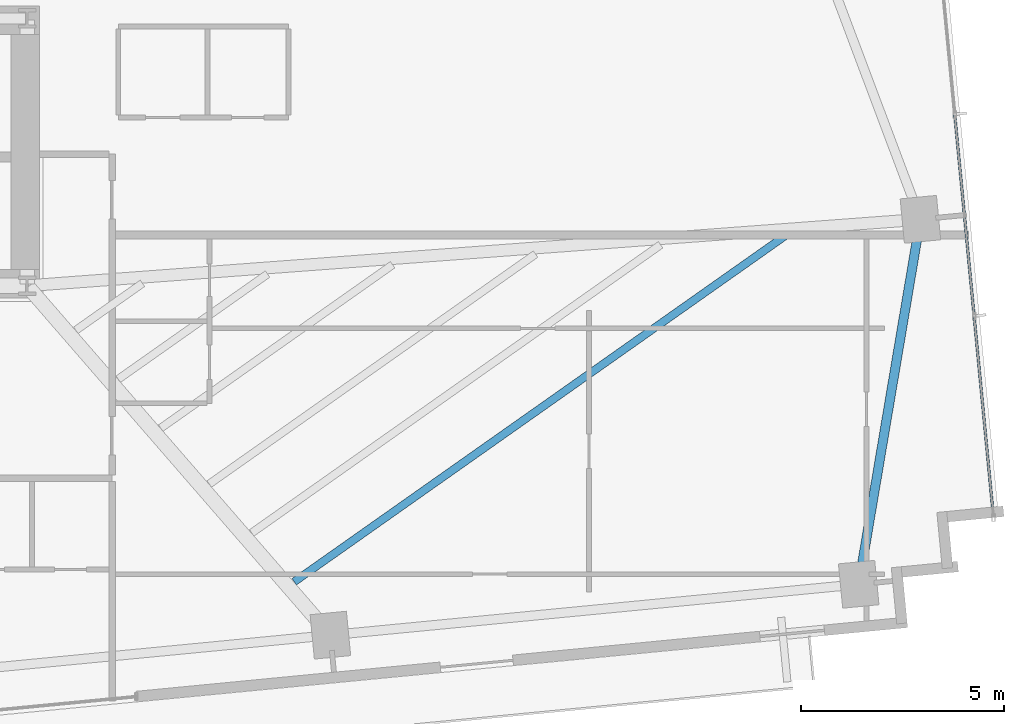
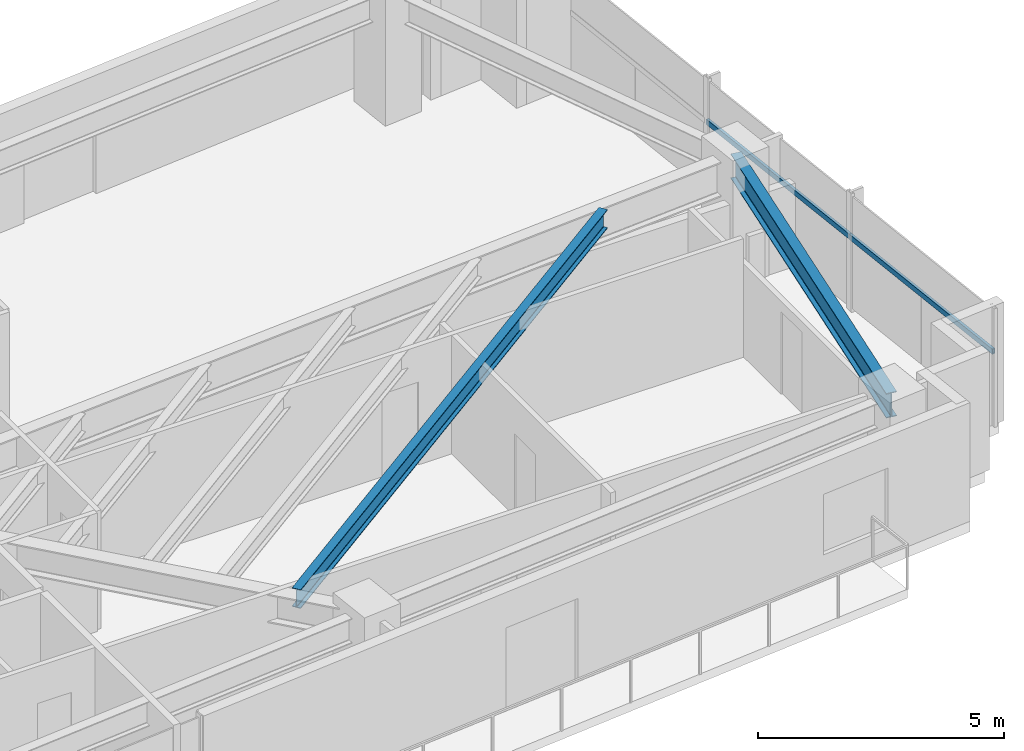
# One storey, part 15 of 27: 2 beams, 2 members, 1 element without a shape of its own.
"""IFC4 building model written with IfcOpenShell, lengths in metres."""

from ifc_helpers import new_model, si_unit, direction, frame, origin, origin_2d, place, context, subcontext, project, spatial, hollow_rectangle, i_section, extrude, source, transform, mapped, material, material_profile, profile_set, type_object, type_shapes, element, aggregate, save


model = new_model("IFC4")

# Units and contexts
model_context = context("Model", 3, precision=1e-05, world=origin(), true_north=direction((0.0, 1.0)))
body_context = subcontext(model_context, "Body", "Model", "MODEL_VIEW")
ifc_project = project(units=[si_unit("LENGTHUNIT", "METRE"), si_unit("AREAUNIT", "SQUARE_METRE"), si_unit("VOLUMEUNIT", "CUBIC_METRE"), si_unit("PLANEANGLEUNIT", "RADIAN"), si_unit("MASSUNIT", "GRAM", prefix="KILO")], contexts=[model_context])

# Site, building, storey
site_placement = place(None, origin())
site = spatial("IfcSite", under=ifc_project, at=site_placement, CompositionType="ELEMENT")
building_placement = place(site_placement, origin())
building = spatial("IfcBuilding", under=site, at=building_placement, Name="Astriad Promenade Condominiums", CompositionType="ELEMENT")
storey_placement = place(building_placement, frame((0.0, 0.0, 109.800048828125)))
storey = spatial("IfcBuildingStorey", under=building, at=storey_placement, Name="L31", CompositionType="ELEMENT", Elevation=109.800048828125)

# Beams
ifc_material_1 = material(Name="Steel ASTM A992 Grade 50", Category="steel")
ifc_material_profile_1 = material_profile(ifc_material_1, i_section(OverallWidth=0.22900390625, OverallDepth=0.612060546875, WebThickness=0.011962890625, FlangeThickness=0.01953125, FilletRadius=0.017822265625, at=origin_2d()), Name="W24X84")
ifc_profile_set_1 = profile_set([ifc_material_profile_1], Name="Steel ASTM A992 Grade 50")
beam_type_1 = type_object("IfcBeamType", Name="STEEL SPANDREL BEAM W24X84", PredefinedType="SPANDREL", material=ifc_profile_set_1)
shared_shape_1 = source(origin(), body_context, "Body", "SweptSolid", [
    extrude(i_section(OverallWidth=0.22900390625, OverallDepth=0.612060546875, WebThickness=0.011962890625, FlangeThickness=0.01953125, FilletRadius=0.017822265625, at=origin_2d()), origin(), (0.0, 0.0, 1.0), 9.055419921875),
])
type_shapes(beam_type_1, [shared_shape_1])
beam_1_placement = place(storey_placement, frame((66.13134765625, 10.0712890625, 2.6337890625), z_axis=(0.166776851291, 0.98599466625, 0.0), x_axis=(-0.98599466625, 0.166776851291, 0.0)))
element("IfcBeam", 1, at=beam_1_placement, inside=storey, type_object=beam_type_1, Name="Perimeter Spandrel Beam SP-E1-L31", PredefinedType="SPANDREL", context=body_context, shape_type="MappedRepresentation", body=[
    mapped(shared_shape_1, transform((0.0, 0.0, 0.0), scale=1.0)),
])
ifc_material_profile_2 = material_profile(ifc_material_1, i_section(OverallWidth=0.19287109375, OverallDepth=0.466064453125, WebThickness=0.011474609375, FlangeThickness=0.01904296875, FilletRadius=0.01513671875, at=origin_2d()), Name="W18X65")
ifc_profile_set_2 = profile_set([ifc_material_profile_2], Name="Steel ASTM A992 Grade 50")
beam_type_2 = type_object("IfcBeamType", Name="STEEL FLOOR JOIST W18X65", PredefinedType="JOIST", material=ifc_profile_set_2)
shared_shape_2 = source(origin(), body_context, "Body", "SweptSolid", [
    extrude(i_section(OverallWidth=0.19287109375, OverallDepth=0.466064453125, WebThickness=0.011474609375, FlangeThickness=0.01904296875, FilletRadius=0.01513671875, at=origin_2d()), origin(), (0.0, 0.0, 1.0), 14.838134765625),
])
type_shapes(beam_type_2, [shared_shape_2])
beam_2_placement = place(storey_placement, frame((52.192138671875, 10.093017578125, 2.706787109375), z_axis=(0.817419044294, 0.576043493171, 0.0), x_axis=(-0.576043493171, 0.817419044294, 0.0)))
element("IfcBeam", 2, at=beam_2_placement, inside=storey, type_object=beam_type_2, Name="Secondary Composite Floor Joist JE1-1-L31", PredefinedType="JOIST", context=body_context, shape_type="MappedRepresentation", body=[
    mapped(shared_shape_2, transform((0.0, 0.0, 0.0), scale=1.0)),
])

# Curtain wall, members
ifc_material_2 = material(Name="Anodised aluminium Black Dark Glass Unitised", Category="aluminium")
curtain_wall_type = type_object("IfcCurtainWallType", Name="CW-B2-DARK", PredefinedType="USERDEFINED", material=ifc_material_2)
curtain_wall_placement = place(storey_placement, origin())
curtain_wall = element("IfcCurtainWall", 3, at=curtain_wall_placement, inside=storey, type_object=curtain_wall_type, Name="CW-L31-E", ObjectType="UNITISED_CURTAIN_WALL", PredefinedType="USERDEFINED")
ifc_material_3 = material(Name="Anodised aluminium 6063-T6 Black", Category="aluminium")
ifc_material_profile_3 = material_profile(ifc_material_3, hollow_rectangle(XDim=0.06494140625, YDim=0.1298828125, WallThickness=0.00390625, at=origin_2d()), Name="ALU-TRN-65X130")
ifc_profile_set_3 = profile_set([ifc_material_profile_3], Name="Anodised aluminium 6063-T6 Black")
member_type = type_object("IfcMemberType", Name="TRN-ALU-TRN-65X130", PredefinedType="USERDEFINED", material=ifc_profile_set_3)
shared_shape_3 = source(origin(), body_context, "Body", "SweptSolid", [
    extrude(hollow_rectangle(XDim=0.06494140625, YDim=0.1298828125, WallThickness=0.00390625, at=origin_2d()), origin(), (0.0, 0.0, 1.0), 5.0),
])
member_1_placement = place(storey_placement, frame((68.972900390625, 16.6552734375, 1.82275390625), z_axis=(0.095848242264, -0.995395958629, 0.0), x_axis=(0.995395958629, 0.095848242264, 0.0)))
member_1 = element("IfcMember", 4, at=member_1_placement, type_object=member_type, Name="CW-L31-E-TRN-02-0", ObjectType="TRANSOM", PredefinedType="USERDEFINED", context=body_context, shape_type="MappedRepresentation", body=[
    mapped(shared_shape_3, transform((0.0, 0.0, 0.0), scale=1.0)),
])
shared_shape_4 = source(origin(), body_context, "Body", "SweptSolid", [
    extrude(hollow_rectangle(XDim=0.06494140625, YDim=0.1298828125, WallThickness=0.00390625, at=origin_2d()), origin(), (0.0, 0.0, 1.0), 4.999755859375),
])
type_shapes(member_type, [shared_shape_3, shared_shape_4])
member_2_placement = place(storey_placement, frame((68.493896484375, 21.632080078125, 1.82275390625), z_axis=(0.095804519461, -0.995400167797, 0.0), x_axis=(0.995400167797, 0.095804519461, 0.0)))
member_2 = element("IfcMember", 5, at=member_2_placement, type_object=member_type, Name="CW-L31-E-TRN-01-0", ObjectType="TRANSOM", PredefinedType="USERDEFINED", context=body_context, shape_type="MappedRepresentation", body=[
    mapped(shared_shape_4, transform((0.0, 0.0, 0.0), scale=1.0)),
])
aggregate(curtain_wall, [member_2, member_1])

save(model, "model.ifc")
